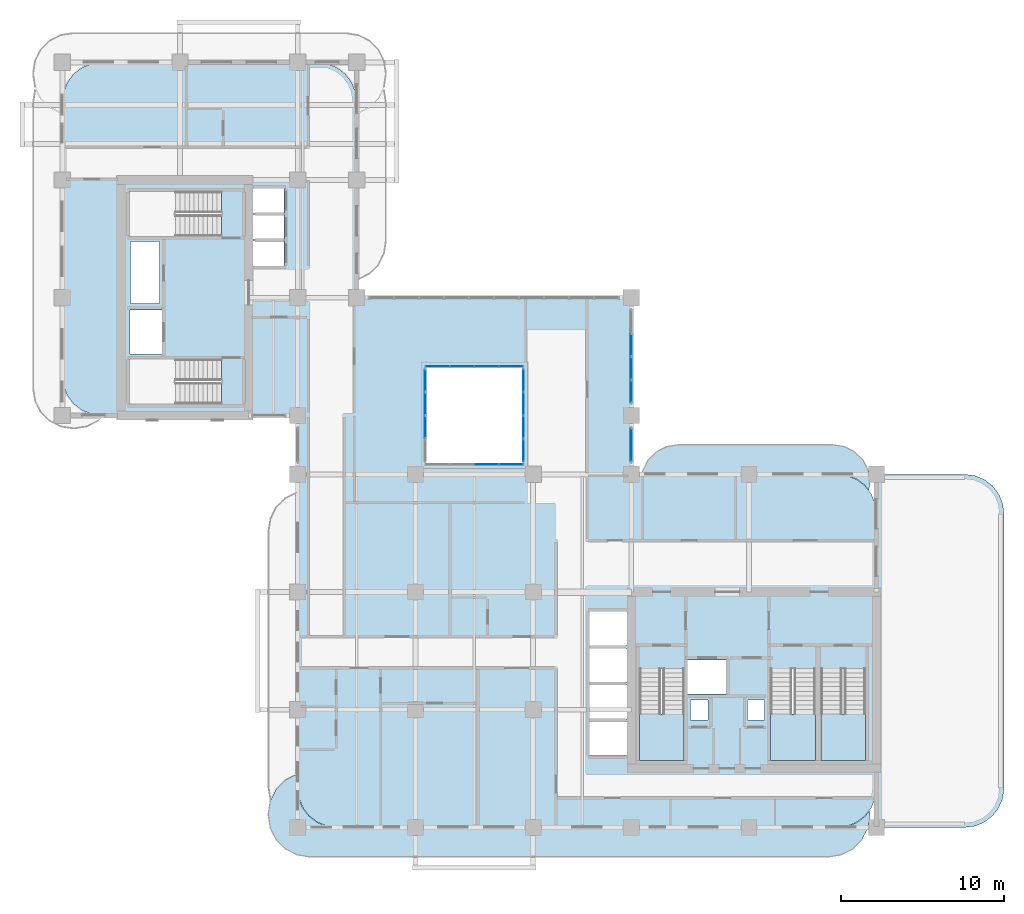
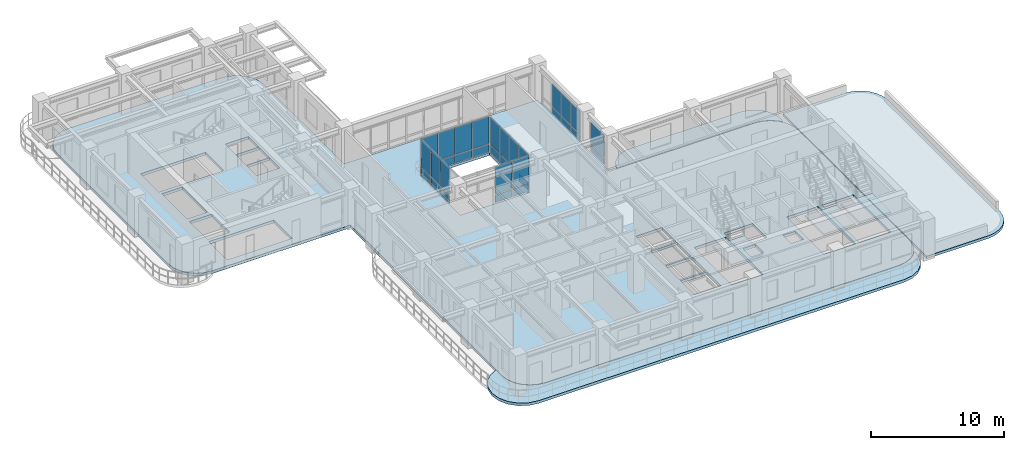
# One storey, part 9 of 20: 34 plates, 7 slabs, 9 elements without a shape of their own.
"""IFC4 building model written with IfcOpenShell, lengths in metres."""

from ifc_helpers import new_model, si_unit, derived_unit, direction, frame, origin, origin_2d, place, context, subcontext, project, spatial, polyline, rectangle, outline, extrude, source, transform, mapped, material, layer, layer_set, type_object, element, aggregate, save


model = new_model("IFC4")

# Units and contexts
model_context = context("Model", 3, precision=1e-05, world=origin(), true_north=direction((0.0, 1.0)))
body_context = subcontext(model_context, "Body", "Model", "MODEL_VIEW")
ifc_project = project(units=[si_unit("LENGTHUNIT", "METRE"), si_unit("AREAUNIT", "SQUARE_METRE"), si_unit("VOLUMEUNIT", "CUBIC_METRE"), si_unit("PLANEANGLEUNIT", "RADIAN"), si_unit("MASSUNIT", "GRAM", prefix="KILO"), si_unit("THERMODYNAMICTEMPERATUREUNIT", "KELVIN"), si_unit("POWERUNIT", "WATT"), derived_unit("THERMALTRANSMITTANCEUNIT", [(si_unit("POWERUNIT", "WATT"), 1), (si_unit("AREAUNIT", "SQUARE_METRE"), -1), (si_unit("THERMODYNAMICTEMPERATUREUNIT", "KELVIN"), -1)])], contexts=[model_context])

# Site, building, storey
site_placement = place(None, origin())
site = spatial("IfcSite", under=ifc_project, at=site_placement, CompositionType="ELEMENT")
building_placement = place(site_placement, origin())
building = spatial("IfcBuilding", under=site, at=building_placement, Name="Zahravan Archway Hotel and Residences", CompositionType="ELEMENT")
storey_placement = place(building_placement, frame((0.0, 0.0, 111.800048828125)))
storey = spatial("IfcBuildingStorey", under=building, at=storey_placement, Name="L27", CompositionType="ELEMENT", Elevation=111.800048828125)

# Slabs
ifc_material_1 = material(Name="Concrete C45/55", Category="concrete")
ifc_layer_1 = layer(ifc_material_1, 0.25, Name="Concrete C45/55", Category="concrete")
ifc_layer_set_1 = layer_set([ifc_layer_1], Name="Concrete C45/55")
slab_type_1 = type_object("IfcSlabType", Name="SLB-BALC-250", PredefinedType="FLOOR", material=ifc_layer_set_1)
slab_1_placement = place(storey_placement, frame((0.0, 0.0, -0.25)))
element("IfcSlab", 1, at=slab_1_placement, inside=storey, type_object=slab_type_1, Name="L27 Wing A South Rounded Balcony Band", PredefinedType="FLOOR", context=body_context, shape_type="SweptSolid", body=[
    extrude(outline(polyline([(49.39990234375, 0.85009765625), (49.39990234375, 0.75), (49.275146484375, -0.0380859375), (48.9130859375, -0.748779296875), (48.348876953125, -1.31298828125), (47.637939453125, -1.67529296875), (46.85009765625, -1.800048828125), (15.14990234375, -1.800048828125), (14.362060546875, -1.67529296875), (13.651123046875, -1.31298828125), (13.0869140625, -0.748779296875), (12.724853515625, -0.0380859375), (12.60009765625, 0.75), (12.60009765625, 0.85009765625), (12.724853515625, 1.637939453125), (13.0869140625, 2.348876953125), (13.651123046875, 2.9130859375), (14.362060546875, 3.275146484375), (14.3798828125, 3.278076171875), (14.3798828125, 2.39990234375), (14.380126953125, 2.3974609375), (14.4619140625, 1.776123046875), (14.46240234375, 1.7744140625), (14.462646484375, 1.772705078125), (14.46337890625, 1.77099609375), (14.702880859375, 1.1923828125), (14.703857421875, 1.19091796875), (14.70458984375, 1.189208984375), (14.70556640625, 1.187744140625), (15.0869140625, 0.690673828125), (15.088134765625, 0.689453125), (15.08935546875, 0.688232421875), (15.0908203125, 0.68701171875), (15.587890625, 0.3056640625), (15.58935546875, 0.3046875), (15.5908203125, 0.3037109375), (15.59228515625, 0.302978515625), (16.171142578125, 0.063232421875), (16.1728515625, 0.062744140625), (16.174560546875, 0.062255859375), (16.17626953125, 0.06201171875), (16.79736328125, -0.019775390625), (16.800048828125, -0.02001953125), (47.39990234375, -0.02001953125), (47.402587890625, -0.019775390625), (48.023681640625, 0.06201171875), (48.025390625, 0.062255859375), (48.027099609375, 0.062744140625), (48.02880859375, 0.063232421875), (48.607666015625, 0.302978515625), (48.609130859375, 0.3037109375), (48.610595703125, 0.3046875), (48.6123046875, 0.3056640625), (49.109375, 0.68701171875), (49.110595703125, 0.688232421875), (49.11181640625, 0.689453125), (49.113037109375, 0.690673828125), (49.371826171875, 1.028076171875), (49.39990234375, 0.85009765625)])), origin(), (0.0, 0.0, 1.0), 0.25),
])
slab_2_placement = place(storey_placement, frame((0.0, 0.0, -0.25)))
element("IfcSlab", 2, at=slab_2_placement, inside=storey, type_object=slab_type_1, Name="L27 Wing A North Rounded Balcony Band", PredefinedType="FLOOR", context=body_context, shape_type="SweptSolid", body=[
    extrude(outline(polyline([(35.510009765625, 21.84521484375), (35.82958984375, 22.472412109375), (36.327392578125, 22.97021484375), (36.95458984375, 23.289794921875), (37.64990234375, 23.39990234375), (47.14990234375, 23.39990234375), (47.84521484375, 23.289794921875), (48.472412109375, 22.97021484375), (48.97021484375, 22.472412109375), (49.289794921875, 21.84521484375), (49.39990234375, 21.14990234375), (49.39990234375, 21.050048828125), (49.33251953125, 20.623291015625), (49.113037109375, 20.9091796875), (49.11181640625, 20.91064453125), (49.110595703125, 20.911865234375), (49.109375, 20.9130859375), (48.6123046875, 21.29443359375), (48.610595703125, 21.29541015625), (48.609130859375, 21.296142578125), (48.607666015625, 21.297119140625), (48.02880859375, 21.53662109375), (48.027099609375, 21.537353515625), (48.025390625, 21.53759765625), (48.023681640625, 21.5380859375), (47.402587890625, 21.619873046875), (47.39990234375, 21.6201171875), (35.474365234375, 21.6201171875), (35.510009765625, 21.84521484375)])), origin(), (0.0, 0.0, 1.0), 0.25),
])
ifc_layer_2 = layer(ifc_material_1, 0.25, Name="Concrete C45/55", Category="concrete")
ifc_layer_set_2 = layer_set([ifc_layer_2], Name="Concrete C45/55")
slab_type_2 = type_object("IfcSlabType", Name="SLB-FLR-250", PredefinedType="FLOOR", material=ifc_layer_set_2)
slab_3_placement = place(storey_placement, frame((0.0, 0.0, -0.25)))
element("IfcSlab", 3, at=slab_3_placement, inside=storey, type_object=slab_type_2, Name="L27 Floor Slab LB", PredefinedType="FLOOR", context=body_context, shape_type="SweptSolid", body=[
    extrude(outline(polyline([(34.800048828125, 21.60009765625), (34.800048828125, 32.39990234375), (18.0, 32.39990234375), (18.0, 44.39990234375), (17.918212890625, 45.021240234375), (17.678466796875, 45.60009765625), (17.297119140625, 46.09716796875), (16.800048828125, 46.478515625), (16.22119140625, 46.71826171875), (15.60009765625, 46.800048828125), (2.39990234375, 46.800048828125), (1.77880859375, 46.71826171875), (1.199951171875, 46.478515625), (0.702880859375, 46.09716796875), (0.321533203125, 45.60009765625), (0.081787109375, 45.021240234375), (0.0, 44.39990234375), (0.0, 27.60009765625), (0.081787109375, 26.978759765625), (0.321533203125, 26.39990234375), (0.702880859375, 25.90283203125), (1.199951171875, 25.521484375), (1.77880859375, 25.28173828125), (2.39990234375, 25.199951171875), (14.39990234375, 25.199951171875), (14.39990234375, 19.199951171875), (14.39990234375, 19.10009765625), (14.39990234375, 2.39990234375), (14.481689453125, 1.77880859375), (14.721435546875, 1.199951171875), (15.102783203125, 0.702880859375), (15.60009765625, 0.321533203125), (16.1787109375, 0.081787109375), (16.800048828125, 0.0), (47.39990234375, 0.0), (48.021240234375, 0.081787109375), (48.60009765625, 0.321533203125), (49.09716796875, 0.702880859375), (49.478515625, 1.199951171875), (49.71826171875, 1.77880859375), (49.800048828125, 2.39990234375), (49.800048828125, 19.199951171875), (49.71826171875, 19.8212890625), (49.478515625, 20.39990234375), (49.09716796875, 20.897216796875), (48.60009765625, 21.278564453125), (48.021240234375, 21.518310546875), (47.39990234375, 21.60009765625), (34.800048828125, 21.60009765625)]), holes=[polyline([(35.300048828125, 9.72998046875), (35.300048828125, 4.10009765625), (38.0400390625, 4.10009765625), (38.0400390625, 9.72998046875), (35.300048828125, 9.72998046875)]), polyline([(43.320068359375, 9.72998046875), (43.320068359375, 4.10009765625), (46.06005859375, 4.10009765625), (46.06005859375, 9.72998046875), (43.320068359375, 9.72998046875)]), polyline([(46.39990234375, 9.72998046875), (46.39990234375, 4.10009765625), (49.139892578125, 4.10009765625), (49.139892578125, 9.72998046875), (46.39990234375, 9.72998046875)]), polyline([(9.72998046875, 28.639892578125), (4.10009765625, 28.639892578125), (4.10009765625, 25.89990234375), (9.72998046875, 25.89990234375), (9.72998046875, 28.639892578125)]), polyline([(9.72998046875, 38.89990234375), (4.10009765625, 38.89990234375), (4.10009765625, 36.159912109375), (9.72998046875, 36.159912109375), (9.72998046875, 38.89990234375)]), polyline([(38.179931640625, 8.14990234375), (40.699951171875, 8.14990234375), (40.699951171875, 10.25), (38.179931640625, 10.25), (38.179931640625, 8.14990234375)]), polyline([(4.14990234375, 28.949951171875), (6.10009765625, 28.949951171875), (6.10009765625, 31.64990234375), (4.14990234375, 31.64990234375), (4.14990234375, 28.949951171875)]), polyline([(11.550048828125, 34.35009765625), (13.550048828125, 34.35009765625), (13.550048828125, 35.889892578125), (11.550048828125, 35.889892578125), (11.550048828125, 34.35009765625)]), polyline([(11.550048828125, 35.949951171875), (13.550048828125, 35.949951171875), (13.550048828125, 37.489990234375), (11.550048828125, 37.489990234375), (11.550048828125, 35.949951171875)]), polyline([(11.550048828125, 37.550048828125), (13.550048828125, 37.550048828125), (13.550048828125, 39.090087890625), (11.550048828125, 39.090087890625), (11.550048828125, 37.550048828125)]), polyline([(32.25, 4.39990234375), (34.550048828125, 4.39990234375), (34.550048828125, 6.47998046875), (32.25, 6.47998046875), (32.25, 4.39990234375)]), polyline([(32.25, 6.639892578125), (34.550048828125, 6.639892578125), (34.550048828125, 8.719970703125), (32.25, 8.719970703125), (32.25, 6.639892578125)]), polyline([(32.25, 8.8798828125), (34.550048828125, 8.8798828125), (34.550048828125, 10.9599609375), (32.25, 10.9599609375), (32.25, 8.8798828125)]), polyline([(32.25, 11.1201171875), (34.550048828125, 11.1201171875), (34.550048828125, 13.199951171875), (32.25, 13.199951171875), (32.25, 11.1201171875)]), polyline([(22.199951171875, 22.199951171875), (28.199951171875, 22.199951171875), (28.199951171875, 28.199951171875), (22.199951171875, 28.199951171875), (22.199951171875, 22.199951171875)]), polyline([(38.419921875, 6.56005859375), (39.5, 6.56005859375), (39.5, 7.780029296875), (38.419921875, 7.780029296875), (38.419921875, 6.56005859375)]), polyline([(41.89990234375, 6.56005859375), (42.9599609375, 6.56005859375), (42.9599609375, 7.780029296875), (41.89990234375, 7.780029296875), (41.89990234375, 6.56005859375)]), polyline([(4.179931640625, 32.050048828125), (5.93994140625, 32.050048828125), (5.93994140625, 35.840087890625), (4.179931640625, 35.840087890625), (4.179931640625, 32.050048828125)])]), origin(), (0.0, 0.0, 1.0), 0.25),
])

# Stair, slab
ifc_material_2 = material(Name="Concrete C50/60", Category="concrete")
stair_type = type_object("IfcStairType", Name="STR-CORE-1300", PredefinedType="HALF_TURN_STAIR", material=ifc_material_2)
stair_1_placement = place(storey_placement, origin())
stair_1 = element("IfcStair", 4, at=stair_1_placement, inside=storey, type_object=stair_type, Name="L27 Core A Exit Stair 1", PredefinedType="HALF_TURN_STAIR")
ifc_layer_3 = layer(ifc_material_2, 0.199951171875, Name="Concrete C50/60", Category="concrete")
ifc_layer_set_3 = layer_set([ifc_layer_3], Name="Concrete C50/60")
slab_type_3 = type_object("IfcSlabType", Name="SLB-LND-200", PredefinedType="LANDING", material=ifc_layer_set_3)
slab_4_placement = place(storey_placement, frame((0.0, 0.0, 1.64990234375)))
slab_4 = element("IfcSlab", 5, at=slab_4_placement, type_object=slab_type_3, Name="ST-A1 landing 1", PredefinedType="LANDING", context=body_context, shape_type="SweptSolid", body=[
    extrude(outline(polyline([(35.300048828125, 6.929931640625), (35.300048828125, 4.10009765625), (38.0400390625, 4.10009765625), (38.0400390625, 6.929931640625), (35.300048828125, 6.929931640625)])), origin(), (0.0, 0.0, 1.0), 0.199951171875),
])
aggregate(stair_1, [slab_4])

stair_2_placement = place(storey_placement, origin())
stair_2 = element("IfcStair", 6, at=stair_2_placement, inside=storey, type_object=stair_type, Name="L27 Core A Exit Stair 2", PredefinedType="HALF_TURN_STAIR")
slab_5_placement = place(storey_placement, frame((0.0, 0.0, 1.64990234375)))
slab_5 = element("IfcSlab", 7, at=slab_5_placement, type_object=slab_type_3, Name="ST-A2 landing 1", PredefinedType="LANDING", context=body_context, shape_type="SweptSolid", body=[
    extrude(outline(polyline([(43.320068359375, 6.929931640625), (43.320068359375, 4.10009765625), (46.06005859375, 4.10009765625), (46.06005859375, 6.929931640625), (43.320068359375, 6.929931640625)])), origin(), (0.0, 0.0, 1.0), 0.199951171875),
])
aggregate(stair_2, [slab_5])

stair_3_placement = place(storey_placement, origin())
stair_3 = element("IfcStair", 8, at=stair_3_placement, inside=storey, type_object=stair_type, Name="L27 Core A Exit Stair 3", PredefinedType="HALF_TURN_STAIR")
slab_6_placement = place(storey_placement, frame((0.0, 0.0, 1.64990234375)))
slab_6 = element("IfcSlab", 9, at=slab_6_placement, type_object=slab_type_3, Name="ST-A3 landing 1", PredefinedType="LANDING", context=body_context, shape_type="SweptSolid", body=[
    extrude(outline(polyline([(46.39990234375, 6.929931640625), (46.39990234375, 4.10009765625), (49.139892578125, 4.10009765625), (49.139892578125, 6.929931640625), (46.39990234375, 6.929931640625)])), origin(), (0.0, 0.0, 1.0), 0.199951171875),
])
aggregate(stair_3, [slab_6])

# Slab
ifc_layer_4 = layer(ifc_material_1, 0.239990234375, Name="Concrete C45/55", Category="concrete")
ifc_layer_set_4 = layer_set([ifc_layer_4], Name="Concrete C45/55")
slab_type_4 = type_object("IfcSlabType", Name="SLB-ROOF-240", PredefinedType="ROOF", material=ifc_layer_set_4)
slab_7_placement = place(storey_placement, frame((0.0, 0.0, -0.239990234375)))
element("IfcSlab", 10, at=slab_7_placement, inside=storey, type_object=slab_type_4, Name="L27 Setback Sky Terrace Slab 1", PredefinedType="ROOF", context=body_context, shape_type="SweptSolid", body=[
    extrude(outline(polyline([(55.8212890625, 21.518310546875), (56.39990234375, 21.278564453125), (56.897216796875, 20.897216796875), (57.278564453125, 20.39990234375), (57.518310546875, 19.8212890625), (57.60009765625, 19.199951171875), (57.60009765625, 2.39990234375), (57.518310546875, 1.77880859375), (57.278564453125, 1.199951171875), (56.897216796875, 0.702880859375), (56.39990234375, 0.321533203125), (55.8212890625, 0.081787109375), (55.199951171875, 0.0), (49.860107421875, 0.0), (49.860107421875, 21.60009765625), (55.199951171875, 21.60009765625), (55.8212890625, 21.518310546875)])), origin(), (0.0, 0.0, 1.0), 0.239990234375),
])

# Curtain wall, plates
ifc_material_3 = material(Name="Bronze-Anodized Unitised Aluminium & Low-E Glass", Category="aluminium")
ifc_layer_5 = layer(ifc_material_3, 0.179931640625, Name="Bronze-Anodized Unitised Aluminium & Low-E Glass", Category="aluminium")
ifc_layer_set_5 = layer_set([ifc_layer_5], Name="Bronze-Anodized Unitised Aluminium & Low-E Glass")
curtain_wall_type = type_object("IfcCurtainWallType", Name="CW-ATR-GLAZ", PredefinedType="NOTDEFINED", material=ifc_layer_set_5)
curtain_wall_1_placement = place(storey_placement, origin())
curtain_wall_1 = element("IfcCurtainWall", 11, at=curtain_wall_1_placement, inside=storey, type_object=curtain_wall_type, Name="L27 Curtain Wall CW-ATR-L27-S-1", PredefinedType="NOTDEFINED")
ifc_material_4 = material(Name="Insulated Terracotta Spandrel Panel", Category="masonry")
ifc_layer_6 = layer(ifc_material_4, 0.0400390625, Name="Insulated Terracotta Spandrel Panel", Category="masonry")
ifc_layer_set_6 = layer_set([ifc_layer_6], Name="Insulated Terracotta Spandrel Panel")
plate_type_1 = type_object("IfcPlateType", Name="CWP-SPN-40", PredefinedType="SHEET", material=ifc_layer_set_6)
shared_shape_1 = source(origin(), body_context, "Body", "SweptSolid", [
    extrude(rectangle(XDim=1.419921875, YDim=0.0400390625, at=origin_2d()), origin(), (0.0, 0.0, 1.0), 0.68798828125),
])
plate_1_placement = place(storey_placement, frame((25.949951171875, 22.199951171875, 0.099853515625), z_axis=(0.0, 0.0, 1.0), x_axis=(1.0, 0.0, 0.0)))
plate_1 = element("IfcPlate", 12, at=plate_1_placement, type_object=plate_type_1, Name="CW-ATR-L27-S-1 Spandrel Panel 2", PredefinedType="SHEET", context=body_context, shape_type="MappedRepresentation", body=[
    mapped(shared_shape_1, transform((0.0, 0.0, 0.0), scale=1.0)),
])
plate_2_placement = place(storey_placement, frame((27.449951171875, 22.199951171875, 0.099853515625), z_axis=(0.0, 0.0, 1.0), x_axis=(1.0, 0.0, 0.0)))
plate_2 = element("IfcPlate", 13, at=plate_2_placement, type_object=plate_type_1, Name="CW-ATR-L27-S-1 Spandrel Panel 3", PredefinedType="SHEET", context=body_context, shape_type="MappedRepresentation", body=[
    mapped(shared_shape_1, transform((0.0, 0.0, 0.0), scale=1.0)),
])

curtain_wall_2_placement = place(storey_placement, origin())
curtain_wall_2 = element("IfcCurtainWall", 14, at=curtain_wall_2_placement, inside=storey, type_object=curtain_wall_type, Name="L27 Curtain Wall CW-ATR-L27-N-1", PredefinedType="NOTDEFINED")
plate_3_placement = place(storey_placement, frame((22.949951171875, 28.199951171875, 0.099853515625), z_axis=(0.0, 0.0, 1.0), x_axis=(1.0, 0.0, 0.0)))
plate_3 = element("IfcPlate", 15, at=plate_3_placement, type_object=plate_type_1, Name="CW-ATR-L27-N-1 Spandrel Panel 0", PredefinedType="SHEET", context=body_context, shape_type="MappedRepresentation", body=[
    mapped(shared_shape_1, transform((0.0, 0.0, 0.0), scale=1.0)),
])
plate_4_placement = place(storey_placement, frame((24.449951171875, 28.199951171875, 0.099853515625), z_axis=(0.0, 0.0, 1.0), x_axis=(1.0, 0.0, 0.0)))
plate_4 = element("IfcPlate", 16, at=plate_4_placement, type_object=plate_type_1, Name="CW-ATR-L27-N-1 Spandrel Panel 1", PredefinedType="SHEET", context=body_context, shape_type="MappedRepresentation", body=[
    mapped(shared_shape_1, transform((0.0, 0.0, 0.0), scale=1.0)),
])
plate_5_placement = place(storey_placement, frame((25.949951171875, 28.199951171875, 0.099853515625), z_axis=(0.0, 0.0, 1.0), x_axis=(1.0, 0.0, 0.0)))
plate_5 = element("IfcPlate", 17, at=plate_5_placement, type_object=plate_type_1, Name="CW-ATR-L27-N-1 Spandrel Panel 2", PredefinedType="SHEET", context=body_context, shape_type="MappedRepresentation", body=[
    mapped(shared_shape_1, transform((0.0, 0.0, 0.0), scale=1.0)),
])
plate_6_placement = place(storey_placement, frame((27.449951171875, 28.199951171875, 0.099853515625), z_axis=(0.0, 0.0, 1.0), x_axis=(1.0, 0.0, 0.0)))
plate_6 = element("IfcPlate", 18, at=plate_6_placement, type_object=plate_type_1, Name="CW-ATR-L27-N-1 Spandrel Panel 3", PredefinedType="SHEET", context=body_context, shape_type="MappedRepresentation", body=[
    mapped(shared_shape_1, transform((0.0, 0.0, 0.0), scale=1.0)),
])

# Plate
ifc_material_5 = material(Name="Double-Silver Low-E Insulated Vision Glass", Category="glass")
ifc_layer_7 = layer(ifc_material_5, 0.028076171875, Name="Double-Silver Low-E Insulated Vision Glass", Category="glass")
ifc_layer_set_7 = layer_set([ifc_layer_7], Name="Double-Silver Low-E Insulated Vision Glass")
plate_type_2 = type_object("IfcPlateType", Name="CWP-GLZ-28", PredefinedType="CURTAIN_PANEL", material=ifc_layer_set_7)
shared_shape_2 = source(origin(), body_context, "Body", "SweptSolid", [
    extrude(rectangle(XDim=1.419921875, YDim=0.028076171875, at=origin_2d()), origin(), (0.0, 0.0, 1.0), 2.48193359375),
])
plate_7_placement = place(storey_placement, frame((25.949951171875, 22.199951171875, 0.867919921875), z_axis=(0.0, 0.0, 1.0), x_axis=(1.0, 0.0, 0.0)))
plate_7 = element("IfcPlate", 19, at=plate_7_placement, type_object=plate_type_2, Name="CW-ATR-L27-S-1 Low-E Vision Panel 2", PredefinedType="CURTAIN_PANEL", context=body_context, shape_type="MappedRepresentation", body=[
    mapped(shared_shape_2, transform((0.0, 0.0, 0.0), scale=1.0)),
])

plate_8_placement = place(storey_placement, frame((27.449951171875, 22.199951171875, 0.867919921875), z_axis=(0.0, 0.0, 1.0), x_axis=(1.0, 0.0, 0.0)))
plate_8 = element("IfcPlate", 20, at=plate_8_placement, type_object=plate_type_2, Name="CW-ATR-L27-S-1 Low-E Vision Panel 3", PredefinedType="CURTAIN_PANEL", context=body_context, shape_type="MappedRepresentation", body=[
    mapped(shared_shape_2, transform((0.0, 0.0, 0.0), scale=1.0)),
])

aggregate(curtain_wall_1, [plate_1, plate_7, plate_2, plate_8])

plate_9_placement = place(storey_placement, frame((22.949951171875, 28.199951171875, 0.867919921875), z_axis=(0.0, 0.0, 1.0), x_axis=(1.0, 0.0, 0.0)))
plate_9 = element("IfcPlate", 21, at=plate_9_placement, type_object=plate_type_2, Name="CW-ATR-L27-N-1 Low-E Vision Panel 0", PredefinedType="CURTAIN_PANEL", context=body_context, shape_type="MappedRepresentation", body=[
    mapped(shared_shape_2, transform((0.0, 0.0, 0.0), scale=1.0)),
])

plate_10_placement = place(storey_placement, frame((24.449951171875, 28.199951171875, 0.867919921875), z_axis=(0.0, 0.0, 1.0), x_axis=(1.0, 0.0, 0.0)))
plate_10 = element("IfcPlate", 22, at=plate_10_placement, type_object=plate_type_2, Name="CW-ATR-L27-N-1 Low-E Vision Panel 1", PredefinedType="CURTAIN_PANEL", context=body_context, shape_type="MappedRepresentation", body=[
    mapped(shared_shape_2, transform((0.0, 0.0, 0.0), scale=1.0)),
])

plate_11_placement = place(storey_placement, frame((25.949951171875, 28.199951171875, 0.867919921875), z_axis=(0.0, 0.0, 1.0), x_axis=(1.0, 0.0, 0.0)))
plate_11 = element("IfcPlate", 23, at=plate_11_placement, type_object=plate_type_2, Name="CW-ATR-L27-N-1 Low-E Vision Panel 2", PredefinedType="CURTAIN_PANEL", context=body_context, shape_type="MappedRepresentation", body=[
    mapped(shared_shape_2, transform((0.0, 0.0, 0.0), scale=1.0)),
])

plate_12_placement = place(storey_placement, frame((27.449951171875, 28.199951171875, 0.867919921875), z_axis=(0.0, 0.0, 1.0), x_axis=(1.0, 0.0, 0.0)))
plate_12 = element("IfcPlate", 24, at=plate_12_placement, type_object=plate_type_2, Name="CW-ATR-L27-N-1 Low-E Vision Panel 3", PredefinedType="CURTAIN_PANEL", context=body_context, shape_type="MappedRepresentation", body=[
    mapped(shared_shape_2, transform((0.0, 0.0, 0.0), scale=1.0)),
])

aggregate(curtain_wall_2, [plate_3, plate_9, plate_4, plate_10, plate_5, plate_11, plate_6, plate_12])

# Curtain wall, plates
curtain_wall_3_placement = place(storey_placement, origin())
curtain_wall_3 = element("IfcCurtainWall", 25, at=curtain_wall_3_placement, inside=storey, type_object=curtain_wall_type, Name="L27 Curtain Wall CW-ATR-L27-W-1", PredefinedType="NOTDEFINED")
shared_shape_3 = source(origin(), body_context, "Body", "SweptSolid", [
    extrude(rectangle(XDim=1.344970703125, YDim=0.0400390625, at=origin_2d()), origin(), (0.0, 0.0, 1.0), 0.68798828125),
])
plate_13_placement = place(storey_placement, frame((22.199951171875, 24.487548828125, 0.099853515625), z_axis=(0.0, 0.0, 1.0), x_axis=(0.0, 1.0, 0.0)))
plate_13 = element("IfcPlate", 26, at=plate_13_placement, type_object=plate_type_1, Name="CW-ATR-L27-W-1 Spandrel Panel 1", PredefinedType="SHEET", context=body_context, shape_type="MappedRepresentation", body=[
    mapped(shared_shape_3, transform((0.0, 0.0, 0.0), scale=1.0)),
])
plate_14_placement = place(storey_placement, frame((22.199951171875, 25.91259765625, 0.099853515625), z_axis=(0.0, 0.0, 1.0), x_axis=(0.0, 1.0, 0.0)))
plate_14 = element("IfcPlate", 27, at=plate_14_placement, type_object=plate_type_1, Name="CW-ATR-L27-W-1 Spandrel Panel 2", PredefinedType="SHEET", context=body_context, shape_type="MappedRepresentation", body=[
    mapped(shared_shape_3, transform((0.0, 0.0, 0.0), scale=1.0)),
])
plate_15_placement = place(storey_placement, frame((22.199951171875, 27.33740234375, 0.099853515625), z_axis=(0.0, 0.0, 1.0), x_axis=(0.0, 1.0, 0.0)))
plate_15 = element("IfcPlate", 28, at=plate_15_placement, type_object=plate_type_1, Name="CW-ATR-L27-W-1 Spandrel Panel 3", PredefinedType="SHEET", context=body_context, shape_type="MappedRepresentation", body=[
    mapped(shared_shape_3, transform((0.0, 0.0, 0.0), scale=1.0)),
])

curtain_wall_4_placement = place(storey_placement, origin())
curtain_wall_4 = element("IfcCurtainWall", 29, at=curtain_wall_4_placement, inside=storey, type_object=curtain_wall_type, Name="L27 Curtain Wall CW-ATR-L27-E-1", PredefinedType="NOTDEFINED")
plate_16_placement = place(storey_placement, frame((28.199951171875, 23.0625, 0.099853515625), z_axis=(0.0, 0.0, 1.0), x_axis=(0.0, 1.0, 0.0)))
plate_16 = element("IfcPlate", 30, at=plate_16_placement, type_object=plate_type_1, Name="CW-ATR-L27-E-1 Spandrel Panel 0", PredefinedType="SHEET", context=body_context, shape_type="MappedRepresentation", body=[
    mapped(shared_shape_3, transform((0.0, 0.0, 0.0), scale=1.0)),
])
plate_17_placement = place(storey_placement, frame((28.199951171875, 24.487548828125, 0.099853515625), z_axis=(0.0, 0.0, 1.0), x_axis=(0.0, 1.0, 0.0)))
plate_17 = element("IfcPlate", 31, at=plate_17_placement, type_object=plate_type_1, Name="CW-ATR-L27-E-1 Spandrel Panel 1", PredefinedType="SHEET", context=body_context, shape_type="MappedRepresentation", body=[
    mapped(shared_shape_3, transform((0.0, 0.0, 0.0), scale=1.0)),
])
plate_18_placement = place(storey_placement, frame((28.199951171875, 25.91259765625, 0.099853515625), z_axis=(0.0, 0.0, 1.0), x_axis=(0.0, 1.0, 0.0)))
plate_18 = element("IfcPlate", 32, at=plate_18_placement, type_object=plate_type_1, Name="CW-ATR-L27-E-1 Spandrel Panel 2", PredefinedType="SHEET", context=body_context, shape_type="MappedRepresentation", body=[
    mapped(shared_shape_3, transform((0.0, 0.0, 0.0), scale=1.0)),
])
plate_19_placement = place(storey_placement, frame((28.199951171875, 27.33740234375, 0.099853515625), z_axis=(0.0, 0.0, 1.0), x_axis=(0.0, 1.0, 0.0)))
plate_19 = element("IfcPlate", 33, at=plate_19_placement, type_object=plate_type_1, Name="CW-ATR-L27-E-1 Spandrel Panel 3", PredefinedType="SHEET", context=body_context, shape_type="MappedRepresentation", body=[
    mapped(shared_shape_3, transform((0.0, 0.0, 0.0), scale=1.0)),
])

# Plate
shared_shape_4 = source(origin(), body_context, "Body", "SweptSolid", [
    extrude(rectangle(XDim=1.344970703125, YDim=0.028076171875, at=origin_2d()), origin(), (0.0, 0.0, 1.0), 2.48193359375),
])
plate_20_placement = place(storey_placement, frame((22.199951171875, 24.487548828125, 0.867919921875), z_axis=(0.0, 0.0, 1.0), x_axis=(0.0, 1.0, 0.0)))
plate_20 = element("IfcPlate", 34, at=plate_20_placement, type_object=plate_type_2, Name="CW-ATR-L27-W-1 Low-E Vision Panel 1", PredefinedType="CURTAIN_PANEL", context=body_context, shape_type="MappedRepresentation", body=[
    mapped(shared_shape_4, transform((0.0, 0.0, 0.0), scale=1.0)),
])

plate_21_placement = place(storey_placement, frame((22.199951171875, 25.91259765625, 0.867919921875), z_axis=(0.0, 0.0, 1.0), x_axis=(0.0, 1.0, 0.0)))
plate_21 = element("IfcPlate", 35, at=plate_21_placement, type_object=plate_type_2, Name="CW-ATR-L27-W-1 Low-E Vision Panel 2", PredefinedType="CURTAIN_PANEL", context=body_context, shape_type="MappedRepresentation", body=[
    mapped(shared_shape_4, transform((0.0, 0.0, 0.0), scale=1.0)),
])

plate_22_placement = place(storey_placement, frame((22.199951171875, 27.33740234375, 0.867919921875), z_axis=(0.0, 0.0, 1.0), x_axis=(0.0, 1.0, 0.0)))
plate_22 = element("IfcPlate", 36, at=plate_22_placement, type_object=plate_type_2, Name="CW-ATR-L27-W-1 Low-E Vision Panel 3", PredefinedType="CURTAIN_PANEL", context=body_context, shape_type="MappedRepresentation", body=[
    mapped(shared_shape_4, transform((0.0, 0.0, 0.0), scale=1.0)),
])

aggregate(curtain_wall_3, [plate_13, plate_20, plate_14, plate_21, plate_15, plate_22])

plate_23_placement = place(storey_placement, frame((28.199951171875, 23.0625, 0.867919921875), z_axis=(0.0, 0.0, 1.0), x_axis=(0.0, 1.0, 0.0)))
plate_23 = element("IfcPlate", 37, at=plate_23_placement, type_object=plate_type_2, Name="CW-ATR-L27-E-1 Low-E Vision Panel 0", PredefinedType="CURTAIN_PANEL", context=body_context, shape_type="MappedRepresentation", body=[
    mapped(shared_shape_4, transform((0.0, 0.0, 0.0), scale=1.0)),
])

plate_24_placement = place(storey_placement, frame((28.199951171875, 24.487548828125, 0.867919921875), z_axis=(0.0, 0.0, 1.0), x_axis=(0.0, 1.0, 0.0)))
plate_24 = element("IfcPlate", 38, at=plate_24_placement, type_object=plate_type_2, Name="CW-ATR-L27-E-1 Low-E Vision Panel 1", PredefinedType="CURTAIN_PANEL", context=body_context, shape_type="MappedRepresentation", body=[
    mapped(shared_shape_4, transform((0.0, 0.0, 0.0), scale=1.0)),
])

plate_25_placement = place(storey_placement, frame((28.199951171875, 25.91259765625, 0.867919921875), z_axis=(0.0, 0.0, 1.0), x_axis=(0.0, 1.0, 0.0)))
plate_25 = element("IfcPlate", 39, at=plate_25_placement, type_object=plate_type_2, Name="CW-ATR-L27-E-1 Low-E Vision Panel 2", PredefinedType="CURTAIN_PANEL", context=body_context, shape_type="MappedRepresentation", body=[
    mapped(shared_shape_4, transform((0.0, 0.0, 0.0), scale=1.0)),
])

plate_26_placement = place(storey_placement, frame((28.199951171875, 27.33740234375, 0.867919921875), z_axis=(0.0, 0.0, 1.0), x_axis=(0.0, 1.0, 0.0)))
plate_26 = element("IfcPlate", 40, at=plate_26_placement, type_object=plate_type_2, Name="CW-ATR-L27-E-1 Low-E Vision Panel 3", PredefinedType="CURTAIN_PANEL", context=body_context, shape_type="MappedRepresentation", body=[
    mapped(shared_shape_4, transform((0.0, 0.0, 0.0), scale=1.0)),
])

aggregate(curtain_wall_4, [plate_16, plate_23, plate_17, plate_24, plate_18, plate_25, plate_19, plate_26])

# Curtain wall, plates
curtain_wall_5_placement = place(storey_placement, origin())
curtain_wall_5 = element("IfcCurtainWall", 41, at=curtain_wall_5_placement, inside=storey, type_object=curtain_wall_type, Name="L27 Curtain Wall CW-L27-HNG-E-1", PredefinedType="NOTDEFINED")
shared_shape_5 = source(origin(), body_context, "Body", "SweptSolid", [
    extrude(rectangle(XDim=2.0, YDim=0.0400390625, at=origin_2d()), origin(), (0.0, 0.0, 1.0), 0.564453125),
])
plate_27_placement = place(storey_placement, frame((34.800048828125, 23.39990234375, 0.099853515625), z_axis=(0.0, 0.0, 1.0), x_axis=(0.0, 1.0, 0.0)))
plate_27 = element("IfcPlate", 42, at=plate_27_placement, type_object=plate_type_1, Name="CW-L27-HNG-E-1 Spandrel Panel 0", PredefinedType="SHEET", context=body_context, shape_type="MappedRepresentation", body=[
    mapped(shared_shape_5, transform((0.0, 0.0, 0.0), scale=1.0)),
])
shared_shape_6 = source(origin(), body_context, "Body", "SweptSolid", [
    extrude(rectangle(XDim=2.0, YDim=0.028076171875, at=origin_2d()), origin(), (0.0, 0.0, 1.0), 2.090576171875),
])
plate_28_placement = place(storey_placement, frame((34.800048828125, 23.39990234375, 0.744140625), z_axis=(0.0, 0.0, 1.0), x_axis=(0.0, 1.0, 0.0)))
plate_28 = element("IfcPlate", 43, at=plate_28_placement, type_object=plate_type_2, Name="CW-L27-HNG-E-1 Low-E Vision Panel 0", PredefinedType="CURTAIN_PANEL", context=body_context, shape_type="MappedRepresentation", body=[
    mapped(shared_shape_6, transform((0.0, 0.0, 0.0), scale=1.0)),
])
aggregate(curtain_wall_5, [plate_27, plate_28])

curtain_wall_6_placement = place(storey_placement, origin())
curtain_wall_6 = element("IfcCurtainWall", 44, at=curtain_wall_6_placement, inside=storey, type_object=curtain_wall_type, Name="L27 Curtain Wall CW-L27-HNG-E-2", PredefinedType="NOTDEFINED")
shared_shape_7 = source(origin(), body_context, "Body", "SweptSolid", [
    extrude(rectangle(XDim=1.340087890625, YDim=0.0400390625, at=origin_2d()), origin(), (0.0, 0.0, 1.0), 0.564453125),
])
plate_29_placement = place(storey_placement, frame((34.800048828125, 26.669921875, 0.099853515625), z_axis=(0.0, 0.0, 1.0), x_axis=(0.0, 1.0, 0.0)))
plate_29 = element("IfcPlate", 45, at=plate_29_placement, type_object=plate_type_1, Name="CW-L27-HNG-E-2 Spandrel Panel 0", PredefinedType="SHEET", context=body_context, shape_type="MappedRepresentation", body=[
    mapped(shared_shape_7, transform((0.0, 0.0, 0.0), scale=1.0)),
])
plate_30_placement = place(storey_placement, frame((34.800048828125, 28.090087890625, 0.099853515625), z_axis=(0.0, 0.0, 1.0), x_axis=(0.0, 1.0, 0.0)))
plate_30 = element("IfcPlate", 46, at=plate_30_placement, type_object=plate_type_1, Name="CW-L27-HNG-E-2 Spandrel Panel 1", PredefinedType="SHEET", context=body_context, shape_type="MappedRepresentation", body=[
    mapped(shared_shape_7, transform((0.0, 0.0, 0.0), scale=1.0)),
])
plate_31_placement = place(storey_placement, frame((34.800048828125, 29.510009765625, 0.099853515625), z_axis=(0.0, 0.0, 1.0), x_axis=(0.0, 1.0, 0.0)))
plate_31 = element("IfcPlate", 47, at=plate_31_placement, type_object=plate_type_1, Name="CW-L27-HNG-E-2 Spandrel Panel 2", PredefinedType="SHEET", context=body_context, shape_type="MappedRepresentation", body=[
    mapped(shared_shape_7, transform((0.0, 0.0, 0.0), scale=1.0)),
])
shared_shape_8 = source(origin(), body_context, "Body", "SweptSolid", [
    extrude(rectangle(XDim=1.340087890625, YDim=0.028076171875, at=origin_2d()), origin(), (0.0, 0.0, 1.0), 2.090576171875),
])
plate_32_placement = place(storey_placement, frame((34.800048828125, 26.669921875, 0.744140625), z_axis=(0.0, 0.0, 1.0), x_axis=(0.0, 1.0, 0.0)))
plate_32 = element("IfcPlate", 48, at=plate_32_placement, type_object=plate_type_2, Name="CW-L27-HNG-E-2 Low-E Vision Panel 0", PredefinedType="CURTAIN_PANEL", context=body_context, shape_type="MappedRepresentation", body=[
    mapped(shared_shape_8, transform((0.0, 0.0, 0.0), scale=1.0)),
])
plate_33_placement = place(storey_placement, frame((34.800048828125, 28.090087890625, 0.744140625), z_axis=(0.0, 0.0, 1.0), x_axis=(0.0, 1.0, 0.0)))
plate_33 = element("IfcPlate", 49, at=plate_33_placement, type_object=plate_type_2, Name="CW-L27-HNG-E-2 Low-E Vision Panel 1", PredefinedType="CURTAIN_PANEL", context=body_context, shape_type="MappedRepresentation", body=[
    mapped(shared_shape_8, transform((0.0, 0.0, 0.0), scale=1.0)),
])
plate_34_placement = place(storey_placement, frame((34.800048828125, 29.510009765625, 0.744140625), z_axis=(0.0, 0.0, 1.0), x_axis=(0.0, 1.0, 0.0)))
plate_34 = element("IfcPlate", 50, at=plate_34_placement, type_object=plate_type_2, Name="CW-L27-HNG-E-2 Low-E Vision Panel 2", PredefinedType="CURTAIN_PANEL", context=body_context, shape_type="MappedRepresentation", body=[
    mapped(shared_shape_8, transform((0.0, 0.0, 0.0), scale=1.0)),
])
aggregate(curtain_wall_6, [plate_29, plate_32, plate_30, plate_33, plate_31, plate_34])

save(model, "model.ifc")
